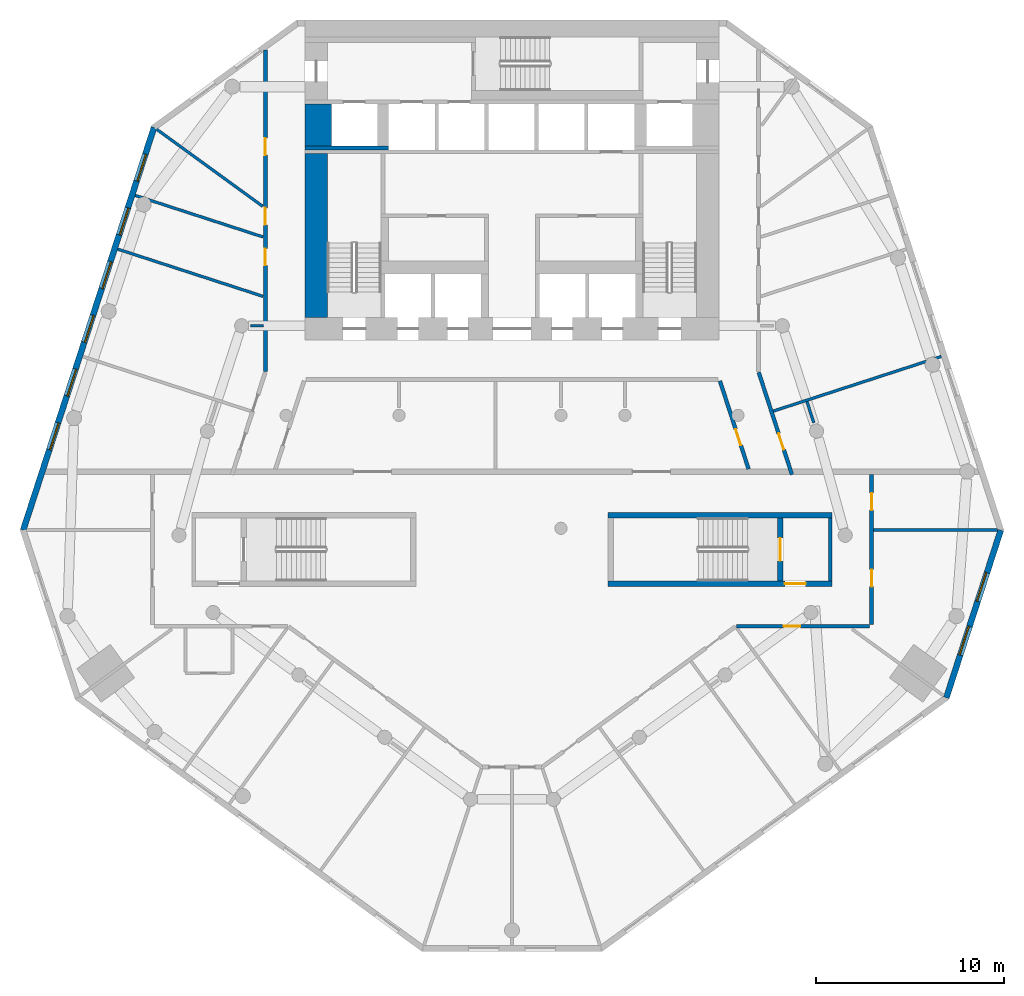
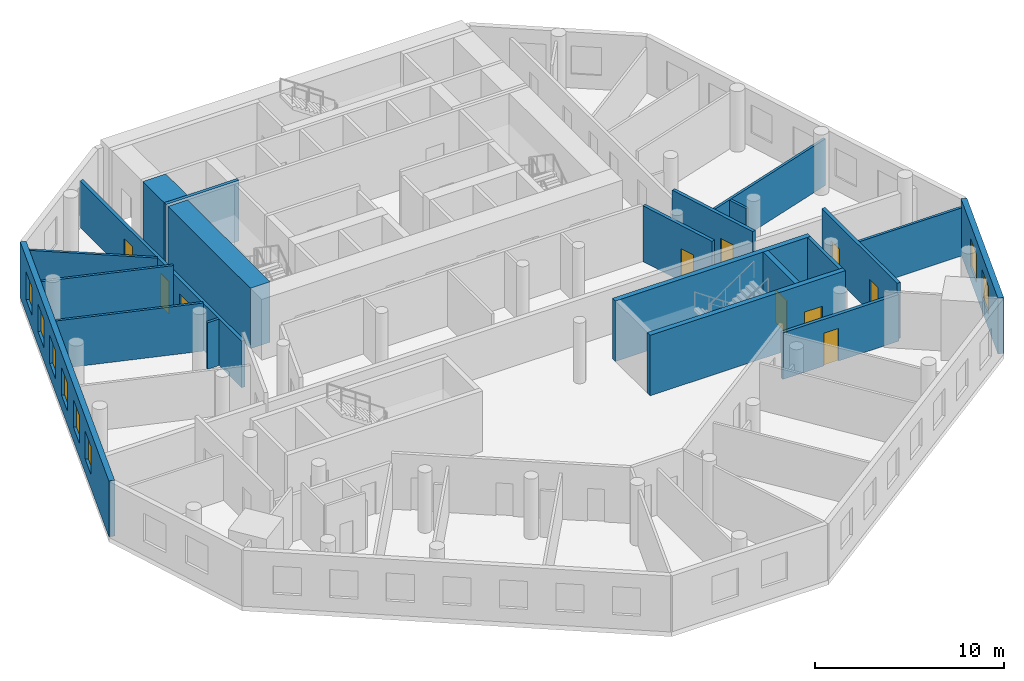
# One storey, part 4 of 9: 21 walls, 10 doors, 8 windows, 18 openings.
"""IFC4 building model written with IfcOpenShell, lengths in metres."""

from ifc_helpers import new_model, si_unit, direction, frame, frame_2d, origin, place, context, subcontext, project, spatial, rectangle, extrude, material, layer, layer_set, type_object, element, fill, save


model = new_model("IFC4")

# Units and contexts
model_context = context("Model", 3, precision=1e-05, world=origin(), true_north=direction((0.0, 1.0)))
body_context = subcontext(model_context, "Body", "Model", "MODEL_VIEW")
ifc_project = project(units=[si_unit("LENGTHUNIT", "METRE"), si_unit("AREAUNIT", "SQUARE_METRE"), si_unit("VOLUMEUNIT", "CUBIC_METRE"), si_unit("PLANEANGLEUNIT", "RADIAN"), si_unit("MASSUNIT", "GRAM", prefix="KILO")], contexts=[model_context])

# Site, building, storey
site_placement = place(None, origin())
site = spatial("IfcSite", under=ifc_project, at=site_placement, CompositionType="ELEMENT")
building_placement = place(site_placement, origin())
building = spatial("IfcBuilding", under=site, at=building_placement, Name="White Candle Pilgrim Tower", CompositionType="ELEMENT")
storey_placement = place(building_placement, frame((0.0, 0.0, 74.10009765625)))
storey = spatial("IfcBuildingStorey", under=building, at=storey_placement, Name="L15", CompositionType="ELEMENT", Elevation=74.10009765625)

# Walls
ifc_material_1 = material(Name="Concrete C70/85", Category="concrete")
ifc_layer_1 = layer(ifc_material_1, 1.39990234375)
ifc_layer_set_1 = layer_set([ifc_layer_1], Name="Core wall 1400 mm Concrete C70/85")
wall_type_1 = type_object("IfcWallType", Name="Core wall 1400 mm Concrete C70/85", PredefinedType="SHEAR", material=ifc_layer_set_1)
wall_1_placement = place(storey_placement, frame((59.699951171875, 81.300048828125, 0.0), z_axis=(0.0, 0.0, 1.0), x_axis=(0.0, 1.0, 0.0)))
element("IfcWall", 1, at=wall_1_placement, inside=storey, type_object=wall_type_1, Name="WL-L15-C37", PredefinedType="SHEAR", context=body_context, shape_type="SweptSolid", body=[
    extrude(rectangle(XDim=2.25, YDim=1.39990234375, at=frame_2d((1.125, 0.0))), origin(), (0.0, 0.0, 1.0), 3.89990234375),
])
ifc_layer_2 = layer(ifc_material_1, 0.199951171875)
ifc_layer_set_2 = layer_set([ifc_layer_2], Name="Core wall 200 mm Concrete C70/85")
wall_type_2 = type_object("IfcWallType", Name="Core wall 200 mm Concrete C70/85", PredefinedType="SHEAR", material=ifc_layer_set_2)
wall_2_placement = place(storey_placement, frame((86.89990234375, 58.199951171875, 0.0), z_axis=(0.0, 0.0, 1.0), x_axis=(0.0, 1.0, 0.0)))
element("IfcWall", 2, at=wall_2_placement, inside=storey, type_object=wall_type_2, Name="WL-L15-C08", PredefinedType="SHEAR", context=body_context, shape_type="SweptSolid", body=[
    extrude(rectangle(XDim=3.35009765625, YDim=0.199951171875, at=frame_2d((1.675048828125, 0.0))), origin(), (0.0, 0.0, 1.0), 3.89990234375),
])
wall_3_placement = place(storey_placement, frame((59.0, 81.199951171875, 0.0), z_axis=(0.0, 0.0, 1.0), x_axis=(1.0, 0.0, 0.0)))
element("IfcWall", 3, at=wall_3_placement, inside=storey, type_object=wall_type_2, Name="WL-L15-C31", PredefinedType="SHEAR", context=body_context, shape_type="SweptSolid", body=[
    extrude(rectangle(XDim=4.449951171875, YDim=0.199951171875, at=frame_2d((2.22509765625, 0.0))), origin(), (0.0, 0.0, 1.0), 3.89990234375),
])

# Wall, openings, doors
ifc_material_2 = material(Name="Gypsum board on steel studs", Category="steel")
ifc_layer_3 = layer(ifc_material_2, 0.199951171875)
ifc_layer_set_3 = layer_set([ifc_layer_3], Name="Corridor wall 200 mm EI 45")
wall_type_3 = type_object("IfcWallType", Name="Corridor wall 200 mm EI 45", PredefinedType="PARTITIONING", material=ifc_layer_set_3)
wall_4_placement = place(storey_placement, frame((56.89990234375, 69.319091796875, 0.0), z_axis=(0.0, 0.0, 1.0), x_axis=(0.0, 1.0, 0.0)))
wall_4 = element("IfcWall", 4, at=wall_4_placement, inside=storey, type_object=wall_type_3, Name="WL-L15-P003", PredefinedType="PARTITIONING", context=body_context, shape_type="SweptSolid", body=[
    extrude(rectangle(XDim=17.0771484375, YDim=0.199951171875, at=frame_2d((8.53857421875, 0.0))), origin(), (0.0, 0.0, 1.0), 3.0),
])
opening_1_placement = place(wall_4_placement, frame((5.642578125, 0.0, 0.0)))
opening_1 = element("IfcOpeningElement", 5, at=opening_1_placement, cuts=wall_4, Name="Opening T04-119", PredefinedType="OPENING", context=body_context, shape_type="SweptSolid", body=[
    extrude(rectangle(XDim=0.89990234375, YDim=2.10009765625, at=frame_2d((0.449951171875, 1.050048828125))), frame((0.0, 0.10986328125, 0.0), z_axis=(0.0, -1.0, 0.0), x_axis=(1.0, 0.0, 0.0)), (0.0, 0.0, 1.0), 0.219970703125),
])
opening_2_placement = place(wall_4_placement, frame((7.797119140625, 0.0, 0.0)))
opening_2 = element("IfcOpeningElement", 6, at=opening_2_placement, cuts=wall_4, Name="Opening T04-120", PredefinedType="OPENING", context=body_context, shape_type="SweptSolid", body=[
    extrude(rectangle(XDim=0.89990234375, YDim=2.10009765625, at=frame_2d((0.449951171875, 1.050048828125))), frame((0.0, 0.10986328125, 0.0), z_axis=(0.0, -1.0, 0.0), x_axis=(1.0, 0.0, 0.0)), (0.0, 0.0, 1.0), 0.219970703125),
])
opening_3_placement = place(wall_4_placement, frame((11.50390625, 0.0, 0.0)))
opening_3 = element("IfcOpeningElement", 7, at=opening_3_placement, cuts=wall_4, Name="Opening T04-121", PredefinedType="OPENING", context=body_context, shape_type="SweptSolid", body=[
    extrude(rectangle(XDim=0.89990234375, YDim=2.10009765625, at=frame_2d((0.449951171875, 1.050048828125))), frame((0.0, 0.10986328125, 0.0), z_axis=(0.0, -1.0, 0.0), x_axis=(1.0, 0.0, 0.0)), (0.0, 0.0, 1.0), 0.219970703125),
])
ifc_material_3 = material(Name="Steel door leaf", Category="steel")
door_type_1 = type_object("IfcDoorType", Name="Fire door 900 x 2100 EI 30", OperationType="NOTDEFINED", PredefinedType="DOOR", material=ifc_material_3)
door_1_placement = place(opening_1_placement, origin())
door_1 = element("IfcDoor", 8, at=door_1_placement, inside=storey, type_object=door_type_1, Name="Door T04-119", OperationType="SINGLE_SWING_LEFT", OverallHeight=2.10009765625, OverallWidth=0.89990234375, PredefinedType="DOOR", context=body_context, shape_type="SweptSolid", body=[
    extrude(rectangle(XDim=0.89990234375, YDim=2.10009765625, at=frame_2d((0.449951171875, 1.050048828125))), frame((0.0, 0.02490234375, 0.0), z_axis=(0.0, -1.0, 0.0), x_axis=(1.0, 0.0, 0.0)), (0.0, 0.0, 1.0), 0.050048828125),
])
fill(opening_1, door_1)
door_2_placement = place(opening_2_placement, origin())
door_2 = element("IfcDoor", 9, at=door_2_placement, inside=storey, type_object=door_type_1, Name="Door T04-120", OperationType="SINGLE_SWING_RIGHT", OverallHeight=2.10009765625, OverallWidth=0.89990234375, PredefinedType="DOOR", context=body_context, shape_type="SweptSolid", body=[
    extrude(rectangle(XDim=0.89990234375, YDim=2.10009765625, at=frame_2d((0.449951171875, 1.050048828125))), frame((0.0, 0.02490234375, 0.0), z_axis=(0.0, -1.0, 0.0), x_axis=(1.0, 0.0, 0.0)), (0.0, 0.0, 1.0), 0.050048828125),
])
fill(opening_2, door_2)
door_3_placement = place(opening_3_placement, origin())
door_3 = element("IfcDoor", 10, at=door_3_placement, inside=storey, type_object=door_type_1, Name="Door T04-121", OperationType="SINGLE_SWING_LEFT", OverallHeight=2.10009765625, OverallWidth=0.89990234375, PredefinedType="DOOR", context=body_context, shape_type="SweptSolid", body=[
    extrude(rectangle(XDim=0.89990234375, YDim=2.10009765625, at=frame_2d((0.449951171875, 1.050048828125))), frame((0.0, 0.02490234375, 0.0), z_axis=(0.0, -1.0, 0.0), x_axis=(1.0, 0.0, 0.0)), (0.0, 0.0, 1.0), 0.050048828125),
])
fill(opening_3, door_3)

# Wall, opening, door
wall_5_placement = place(storey_placement, frame((83.10498046875, 69.2880859375, 0.0), z_axis=(0.0, 0.0, 1.0), x_axis=(0.309006902183, -0.951059795388, 0.0)))
wall_5 = element("IfcWall", 11, at=wall_5_placement, inside=storey, type_object=wall_type_3, Name="WL-L15-P005", PredefinedType="PARTITIONING", context=body_context, shape_type="SweptSolid", body=[
    extrude(rectangle(XDim=5.7177734375, YDim=0.199951171875, at=frame_2d((2.85888671875, 0.0))), origin(), (0.0, 0.0, 1.0), 3.599853515625),
])
opening_4_placement = place(wall_5_placement, frame((3.419677734375, 0.0, 0.0)))
opening_4 = element("IfcOpeningElement", 12, at=opening_4_placement, cuts=wall_5, Name="Opening T04-127", PredefinedType="OPENING", context=body_context, shape_type="SweptSolid", body=[
    extrude(rectangle(XDim=0.89990234375, YDim=2.10009765625, at=frame_2d((0.449951171875, 1.050048828125))), frame((0.0, 0.10986328125, 0.0), z_axis=(0.0, -1.0, 0.0), x_axis=(1.0, 0.0, 0.0)), (0.0, 0.0, 1.0), 0.219970703125),
])
door_4_placement = place(opening_4_placement, origin())
door_4 = element("IfcDoor", 13, at=door_4_placement, inside=storey, type_object=door_type_1, Name="Door T04-127", OperationType="SINGLE_SWING_LEFT", OverallHeight=2.10009765625, OverallWidth=0.89990234375, PredefinedType="DOOR", context=body_context, shape_type="SweptSolid", body=[
    extrude(rectangle(XDim=0.89990234375, YDim=2.10009765625, at=frame_2d((0.449951171875, 1.050048828125))), frame((0.0, 0.02490234375, 0.0), z_axis=(0.0, -1.0, 0.0), x_axis=(1.0, 0.0, 0.0)), (0.0, 0.0, 1.0), 0.050048828125),
])
fill(opening_4, door_4)

# Wall, openings, doors
wall_6_placement = place(storey_placement, frame((89.10009765625, 63.85009765625, 0.0), z_axis=(0.0, 0.0, 1.0), x_axis=(0.0, -1.0, 0.0)))
wall_6 = element("IfcWall", 14, at=wall_6_placement, inside=storey, type_object=wall_type_3, Name="WL-L15-P006", PredefinedType="PARTITIONING", context=body_context, shape_type="SweptSolid", body=[
    extrude(rectangle(XDim=7.9501953125, YDim=0.199951171875, at=frame_2d((3.97509765625, 0.0))), origin(), (0.0, 0.0, 1.0), 3.599853515625),
])
opening_5_placement = place(wall_6_placement, frame((5.048095703125, 0.0, 0.0)))
opening_5 = element("IfcOpeningElement", 15, at=opening_5_placement, cuts=wall_6, Name="Opening T04-113", PredefinedType="OPENING", context=body_context, shape_type="SweptSolid", body=[
    extrude(rectangle(XDim=0.89990234375, YDim=2.10009765625, at=frame_2d((0.449951171875, 1.050048828125))), frame((0.0, 0.10986328125, 0.0), z_axis=(0.0, -1.0, 0.0), x_axis=(1.0, 0.0, 0.0)), (0.0, 0.0, 1.0), 0.219970703125),
])
opening_6_placement = place(wall_6_placement, frame((0.985595703125, 0.0, 0.0)))
opening_6 = element("IfcOpeningElement", 16, at=opening_6_placement, cuts=wall_6, Name="Opening T04-128", PredefinedType="OPENING", context=body_context, shape_type="SweptSolid", body=[
    extrude(rectangle(XDim=0.89990234375, YDim=2.10009765625, at=frame_2d((0.449951171875, 1.050048828125))), frame((0.0, 0.10986328125, 0.0), z_axis=(0.0, -1.0, 0.0), x_axis=(1.0, 0.0, 0.0)), (0.0, 0.0, 1.0), 0.219970703125),
])
door_5_placement = place(opening_5_placement, origin())
door_5 = element("IfcDoor", 17, at=door_5_placement, inside=storey, type_object=door_type_1, Name="Door T04-113", OperationType="SINGLE_SWING_LEFT", OverallHeight=2.10009765625, OverallWidth=0.89990234375, PredefinedType="DOOR", context=body_context, shape_type="SweptSolid", body=[
    extrude(rectangle(XDim=0.89990234375, YDim=2.10009765625, at=frame_2d((0.449951171875, 1.050048828125))), frame((0.0, 0.02490234375, 0.0), z_axis=(0.0, -1.0, 0.0), x_axis=(1.0, 0.0, 0.0)), (0.0, 0.0, 1.0), 0.050048828125),
])
fill(opening_5, door_5)
door_6_placement = place(opening_6_placement, origin())
door_6 = element("IfcDoor", 18, at=door_6_placement, inside=storey, type_object=door_type_1, Name="Door T04-128", OperationType="SINGLE_SWING_RIGHT", OverallHeight=2.10009765625, OverallWidth=0.89990234375, PredefinedType="DOOR", context=body_context, shape_type="SweptSolid", body=[
    extrude(rectangle(XDim=0.89990234375, YDim=2.10009765625, at=frame_2d((0.449951171875, 1.050048828125))), frame((0.0, 0.02490234375, 0.0), z_axis=(0.0, -1.0, 0.0), x_axis=(1.0, 0.0, 0.0)), (0.0, 0.0, 1.0), 0.050048828125),
])
fill(opening_6, door_6)

# Wall, opening, door
wall_7_placement = place(storey_placement, frame((89.0, 55.800048828125, 0.0), z_axis=(0.0, 0.0, 1.0), x_axis=(-1.0, 0.0, 0.0)))
wall_7 = element("IfcWall", 19, at=wall_7_placement, inside=storey, type_object=wall_type_3, Name="WL-L15-P007", PredefinedType="PARTITIONING", context=body_context, shape_type="SweptSolid", body=[
    extrude(rectangle(XDim=7.07080078125, YDim=0.199951171875, at=frame_2d((3.535400390625, 0.0))), origin(), (0.0, 0.0, 1.0), 3.0),
])
opening_7_placement = place(wall_7_placement, frame((3.67626953125, 0.0, 0.0)))
opening_7 = element("IfcOpeningElement", 20, at=opening_7_placement, cuts=wall_7, Name="Opening T04-112", PredefinedType="OPENING", context=body_context, shape_type="SweptSolid", body=[
    extrude(rectangle(XDim=0.89990234375, YDim=2.10009765625, at=frame_2d((0.449951171875, 1.050048828125))), frame((0.0, 0.10986328125, 0.0), z_axis=(0.0, -1.0, 0.0), x_axis=(1.0, 0.0, 0.0)), (0.0, 0.0, 1.0), 0.219970703125),
])
door_7_placement = place(opening_7_placement, origin())
door_7 = element("IfcDoor", 21, at=door_7_placement, inside=storey, type_object=door_type_1, Name="Door T04-112", OperationType="SINGLE_SWING_RIGHT", OverallHeight=2.10009765625, OverallWidth=0.89990234375, PredefinedType="DOOR", context=body_context, shape_type="SweptSolid", body=[
    extrude(rectangle(XDim=0.89990234375, YDim=2.10009765625, at=frame_2d((0.449951171875, 1.050048828125))), frame((0.0, 0.02490234375, 0.0), z_axis=(0.0, -1.0, 0.0), x_axis=(1.0, 0.0, 0.0)), (0.0, 0.0, 1.0), 0.050048828125),
])
fill(opening_7, door_7)

wall_8_placement = place(storey_placement, frame((82.56640625, 64.14990234375, 0.0), z_axis=(0.0, 0.0, 1.0), x_axis=(-0.309031112369, 0.951051928965, 0.0)))
wall_8 = element("IfcWall", 22, at=wall_8_placement, inside=storey, type_object=wall_type_3, Name="WL-L15-P015", PredefinedType="PARTITIONING", context=body_context, shape_type="SweptSolid", body=[
    extrude(rectangle(XDim=4.921875, YDim=0.199951171875, at=frame_2d((2.4609375, 0.0))), origin(), (0.0, 0.0, 1.0), 3.599853515625),
])
opening_8_placement = place(wall_8_placement, frame((1.32177734375, 0.0, 0.0)))
opening_8 = element("IfcOpeningElement", 23, at=opening_8_placement, cuts=wall_8, Name="Opening T04-129", PredefinedType="OPENING", context=body_context, shape_type="SweptSolid", body=[
    extrude(rectangle(XDim=0.89990234375, YDim=2.10009765625, at=frame_2d((0.449951171875, 1.050048828125))), frame((0.0, 0.10986328125, 0.0), z_axis=(0.0, -1.0, 0.0), x_axis=(1.0, 0.0, 0.0)), (0.0, 0.0, 1.0), 0.219970703125),
])
door_8_placement = place(opening_8_placement, origin())
door_8 = element("IfcDoor", 24, at=door_8_placement, inside=storey, type_object=door_type_1, Name="Door T04-129", OperationType="SINGLE_SWING_LEFT", OverallHeight=2.10009765625, OverallWidth=0.89990234375, PredefinedType="DOOR", context=body_context, shape_type="SweptSolid", body=[
    extrude(rectangle(XDim=0.89990234375, YDim=2.10009765625, at=frame_2d((0.449951171875, 1.050048828125))), frame((0.0, 0.02490234375, 0.0), z_axis=(0.0, -1.0, 0.0), x_axis=(1.0, 0.0, 0.0)), (0.0, 0.0, 1.0), 0.050048828125),
])
fill(opening_8, door_8)

# Wall, openings, windows
ifc_material_4 = material(Name="Precast concrete C40/50", Category="concrete")
ifc_layer_4 = layer(ifc_material_4, 0.320068359375)
ifc_layer_set_4 = layer_set([ifc_layer_4], Name="Facade wall EW1 precast concrete C40/50 pier wall with timber-lined reveals")
wall_type_4 = type_object("IfcWallType", Name="Facade wall EW1 precast concrete C40/50 pier wall with timber-lined reveals", PredefinedType="SOLIDWALL", material=ifc_layer_set_4)
wall_9_placement = place(storey_placement, frame((93.073974609375, 52.005126953125, 0.0), z_axis=(0.0, 0.0, 1.0), x_axis=(0.309024710052, 0.951054009285, 0.0)))
wall_9 = element("IfcWall", 25, at=wall_9_placement, inside=storey, type_object=wall_type_4, Name="Facade wall L15 E chamfer", PredefinedType="SOLIDWALL", context=body_context, shape_type="SweptSolid", body=[
    extrude(rectangle(XDim=9.3564453125, YDim=0.320068359375, at=frame_2d((4.67822265625, 0.0))), origin(), (0.0, 0.0, 1.0), 3.599853515625),
])
opening_9_placement = place(wall_9_placement, frame((2.37841796875, 0.0, 0.89990234375)))
opening_9 = element("IfcOpeningElement", 26, at=opening_9_placement, cuts=wall_9, Name="Opening W2", PredefinedType="OPENING", context=body_context, shape_type="SweptSolid", body=[
    extrude(rectangle(XDim=1.60009765625, YDim=1.800048828125, at=frame_2d((0.800048828125, 0.89990234375))), frame((0.0, 0.169921875, 0.0), z_axis=(0.0, -1.0, 0.0), x_axis=(1.0, 0.0, 0.0)), (0.0, 0.0, 1.0), 0.340087890625),
])
opening_10_placement = place(wall_9_placement, frame((5.37841796875, 0.0, 0.89990234375)))
opening_10 = element("IfcOpeningElement", 27, at=opening_10_placement, cuts=wall_9, Name="Opening W2", PredefinedType="OPENING", context=body_context, shape_type="SweptSolid", body=[
    extrude(rectangle(XDim=1.60009765625, YDim=1.800048828125, at=frame_2d((0.800048828125, 0.89990234375))), frame((0.0, 0.169921875, 0.0), z_axis=(0.0, -1.0, 0.0), x_axis=(1.0, 0.0, 0.0)), (0.0, 0.0, 1.0), 0.340087890625),
])
ifc_material_5 = material(Name="Timber frame with triple glazing", Category="wood")
window_type_1 = type_object("IfcWindowType", Name="Window W2 1600x1800 timber frame triple glazing", PartitioningType="SINGLE_PANEL", PredefinedType="WINDOW", material=ifc_material_5)
window_1_placement = place(opening_9_placement, origin())
window_1 = element("IfcWindow", 28, at=window_1_placement, inside=storey, type_object=window_type_1, Name="Window W2 L15 E chamfer 1", OverallHeight=1.800048828125, OverallWidth=1.60009765625, PartitioningType="SINGLE_PANEL", PredefinedType="WINDOW", context=body_context, shape_type="SweptSolid", body=[
    extrude(rectangle(XDim=1.60009765625, YDim=1.800048828125, at=frame_2d((0.800048828125, 0.89990234375))), frame((0.0, 0.070068359375, 0.0), z_axis=(0.0, -1.0, 0.0), x_axis=(1.0, 0.0, 0.0)), (0.0, 0.0, 1.0), 0.06005859375),
])
fill(opening_9, window_1)
window_2_placement = place(opening_10_placement, origin())
window_2 = element("IfcWindow", 29, at=window_2_placement, inside=storey, type_object=window_type_1, Name="Window W2 L15 E chamfer 2", OverallHeight=1.800048828125, OverallWidth=1.60009765625, PartitioningType="SINGLE_PANEL", PredefinedType="WINDOW", context=body_context, shape_type="SweptSolid", body=[
    extrude(rectangle(XDim=1.60009765625, YDim=1.800048828125, at=frame_2d((0.800048828125, 0.89990234375))), frame((0.0, 0.070068359375, 0.0), z_axis=(0.0, -1.0, 0.0), x_axis=(1.0, 0.0, 0.0)), (0.0, 0.0, 1.0), 0.06005859375),
])
fill(opening_10, window_2)

wall_10_placement = place(storey_placement, frame((50.98583984375, 82.297119140625, 0.0), z_axis=(0.0, 0.0, 1.0), x_axis=(-0.309016374519, -0.951056717698, 0.0)))
wall_10 = element("IfcWall", 30, at=wall_10_placement, inside=storey, type_object=wall_type_4, Name="Facade wall L15 WNW", PredefinedType="SOLIDWALL", context=body_context, shape_type="SweptSolid", body=[
    extrude(rectangle(XDim=22.49462890625, YDim=0.320068359375, at=frame_2d((11.247314453125, 0.0))), origin(), (0.0, 0.0, 1.0), 3.599853515625),
])
opening_11_placement = place(wall_10_placement, frame((1.497314453125, 0.0, 0.89990234375)))
opening_11 = element("IfcOpeningElement", 31, at=opening_11_placement, cuts=wall_10, Name="Opening W1", PredefinedType="OPENING", context=body_context, shape_type="SweptSolid", body=[
    extrude(rectangle(XDim=1.5, YDim=1.800048828125, at=frame_2d((0.75, 0.89990234375))), frame((0.0, 0.169921875, 0.0), z_axis=(0.0, -1.0, 0.0), x_axis=(1.0, 0.0, 0.0)), (0.0, 0.0, 1.0), 0.340087890625),
])
opening_12_placement = place(wall_10_placement, frame((4.497314453125, 0.0, 0.89990234375)))
opening_12 = element("IfcOpeningElement", 32, at=opening_12_placement, cuts=wall_10, Name="Opening W1", PredefinedType="OPENING", context=body_context, shape_type="SweptSolid", body=[
    extrude(rectangle(XDim=1.5, YDim=1.800048828125, at=frame_2d((0.75, 0.89990234375))), frame((0.0, 0.169921875, 0.0), z_axis=(0.0, -1.0, 0.0), x_axis=(1.0, 0.0, 0.0)), (0.0, 0.0, 1.0), 0.340087890625),
])
opening_13_placement = place(wall_10_placement, frame((7.497314453125, 0.0, 0.89990234375)))
opening_13 = element("IfcOpeningElement", 33, at=opening_13_placement, cuts=wall_10, Name="Opening W1", PredefinedType="OPENING", context=body_context, shape_type="SweptSolid", body=[
    extrude(rectangle(XDim=1.5, YDim=1.800048828125, at=frame_2d((0.75, 0.89990234375))), frame((0.0, 0.169921875, 0.0), z_axis=(0.0, -1.0, 0.0), x_axis=(1.0, 0.0, 0.0)), (0.0, 0.0, 1.0), 0.340087890625),
])
opening_14_placement = place(wall_10_placement, frame((10.497314453125, 0.0, 0.89990234375)))
opening_14 = element("IfcOpeningElement", 34, at=opening_14_placement, cuts=wall_10, Name="Opening W1", PredefinedType="OPENING", context=body_context, shape_type="SweptSolid", body=[
    extrude(rectangle(XDim=1.5, YDim=1.800048828125, at=frame_2d((0.75, 0.89990234375))), frame((0.0, 0.169921875, 0.0), z_axis=(0.0, -1.0, 0.0), x_axis=(1.0, 0.0, 0.0)), (0.0, 0.0, 1.0), 0.340087890625),
])
opening_15_placement = place(wall_10_placement, frame((13.497314453125, 0.0, 0.89990234375)))
opening_15 = element("IfcOpeningElement", 35, at=opening_15_placement, cuts=wall_10, Name="Opening W1", PredefinedType="OPENING", context=body_context, shape_type="SweptSolid", body=[
    extrude(rectangle(XDim=1.5, YDim=1.800048828125, at=frame_2d((0.75, 0.89990234375))), frame((0.0, 0.169921875, 0.0), z_axis=(0.0, -1.0, 0.0), x_axis=(1.0, 0.0, 0.0)), (0.0, 0.0, 1.0), 0.340087890625),
])
opening_16_placement = place(wall_10_placement, frame((16.497314453125, 0.0, 0.89990234375)))
opening_16 = element("IfcOpeningElement", 36, at=opening_16_placement, cuts=wall_10, Name="Opening W1", PredefinedType="OPENING", context=body_context, shape_type="SweptSolid", body=[
    extrude(rectangle(XDim=1.5, YDim=1.800048828125, at=frame_2d((0.75, 0.89990234375))), frame((0.0, 0.169921875, 0.0), z_axis=(0.0, -1.0, 0.0), x_axis=(1.0, 0.0, 0.0)), (0.0, 0.0, 1.0), 0.340087890625),
])
window_type_2 = type_object("IfcWindowType", Name="Window W1 1500x1800 timber frame triple glazing", PartitioningType="SINGLE_PANEL", PredefinedType="WINDOW", material=ifc_material_5)
window_3_placement = place(opening_11_placement, origin())
window_3 = element("IfcWindow", 37, at=window_3_placement, inside=storey, type_object=window_type_2, Name="Window W1 L15 WNW 1", OverallHeight=1.800048828125, OverallWidth=1.5, PartitioningType="SINGLE_PANEL", PredefinedType="WINDOW", context=body_context, shape_type="SweptSolid", body=[
    extrude(rectangle(XDim=1.5, YDim=1.800048828125, at=frame_2d((0.75, 0.89990234375))), frame((0.0, 0.070068359375, 0.0), z_axis=(0.0, -1.0, 0.0), x_axis=(1.0, 0.0, 0.0)), (0.0, 0.0, 1.0), 0.06005859375),
])
fill(opening_11, window_3)
window_4_placement = place(opening_12_placement, origin())
window_4 = element("IfcWindow", 38, at=window_4_placement, inside=storey, type_object=window_type_2, Name="Window W1 L15 WNW 2", OverallHeight=1.800048828125, OverallWidth=1.5, PartitioningType="SINGLE_PANEL", PredefinedType="WINDOW", context=body_context, shape_type="SweptSolid", body=[
    extrude(rectangle(XDim=1.5, YDim=1.800048828125, at=frame_2d((0.75, 0.89990234375))), frame((0.0, 0.070068359375, 0.0), z_axis=(0.0, -1.0, 0.0), x_axis=(1.0, 0.0, 0.0)), (0.0, 0.0, 1.0), 0.06005859375),
])
fill(opening_12, window_4)
window_5_placement = place(opening_13_placement, origin())
window_5 = element("IfcWindow", 39, at=window_5_placement, inside=storey, type_object=window_type_2, Name="Window W1 L15 WNW 3", OverallHeight=1.800048828125, OverallWidth=1.5, PartitioningType="SINGLE_PANEL", PredefinedType="WINDOW", context=body_context, shape_type="SweptSolid", body=[
    extrude(rectangle(XDim=1.5, YDim=1.800048828125, at=frame_2d((0.75, 0.89990234375))), frame((0.0, 0.070068359375, 0.0), z_axis=(0.0, -1.0, 0.0), x_axis=(1.0, 0.0, 0.0)), (0.0, 0.0, 1.0), 0.06005859375),
])
fill(opening_13, window_5)
window_6_placement = place(opening_14_placement, origin())
window_6 = element("IfcWindow", 40, at=window_6_placement, inside=storey, type_object=window_type_2, Name="Window W1 L15 WNW 4", OverallHeight=1.800048828125, OverallWidth=1.5, PartitioningType="SINGLE_PANEL", PredefinedType="WINDOW", context=body_context, shape_type="SweptSolid", body=[
    extrude(rectangle(XDim=1.5, YDim=1.800048828125, at=frame_2d((0.75, 0.89990234375))), frame((0.0, 0.070068359375, 0.0), z_axis=(0.0, -1.0, 0.0), x_axis=(1.0, 0.0, 0.0)), (0.0, 0.0, 1.0), 0.06005859375),
])
fill(opening_14, window_6)
window_7_placement = place(opening_15_placement, origin())
window_7 = element("IfcWindow", 41, at=window_7_placement, inside=storey, type_object=window_type_2, Name="Window W1 L15 WNW 5", OverallHeight=1.800048828125, OverallWidth=1.5, PartitioningType="SINGLE_PANEL", PredefinedType="WINDOW", context=body_context, shape_type="SweptSolid", body=[
    extrude(rectangle(XDim=1.5, YDim=1.800048828125, at=frame_2d((0.75, 0.89990234375))), frame((0.0, 0.070068359375, 0.0), z_axis=(0.0, -1.0, 0.0), x_axis=(1.0, 0.0, 0.0)), (0.0, 0.0, 1.0), 0.06005859375),
])
fill(opening_15, window_7)
window_8_placement = place(opening_16_placement, origin())
window_8 = element("IfcWindow", 42, at=window_8_placement, inside=storey, type_object=window_type_2, Name="Window W1 L15 WNW 6", OverallHeight=1.800048828125, OverallWidth=1.5, PartitioningType="SINGLE_PANEL", PredefinedType="WINDOW", context=body_context, shape_type="SweptSolid", body=[
    extrude(rectangle(XDim=1.5, YDim=1.800048828125, at=frame_2d((0.75, 0.89990234375))), frame((0.0, 0.070068359375, 0.0), z_axis=(0.0, -1.0, 0.0), x_axis=(1.0, 0.0, 0.0)), (0.0, 0.0, 1.0), 0.06005859375),
])
fill(opening_16, window_8)

# Walls
ifc_layer_5 = layer(ifc_material_2, 0.14990234375)
ifc_layer_set_5 = layer_set([ifc_layer_5], Name="Partition 150 mm EI 60")
wall_type_5 = type_object("IfcWallType", Name="Partition 150 mm EI 60", PredefinedType="PARTITIONING", material=ifc_layer_set_5)
wall_11_placement = place(storey_placement, frame((51.1220703125, 82.1982421875, 0.0), z_axis=(0.0, 0.0, 1.0), x_axis=(0.809011915856, -0.58779224221, 0.0)))
element("IfcWall", 43, at=wall_11_placement, inside=storey, type_object=wall_type_5, Name="WL-L15-P016", PredefinedType="PARTITIONING", context=body_context, shape_type="SweptSolid", body=[
    extrude(rectangle(XDim=6.9638671875, YDim=0.14990234375, at=frame_2d((3.48193359375, 0.0))), origin(), (0.0, 0.0, 1.0), 3.099853515625),
])
wall_12_placement = place(storey_placement, frame((95.797119140625, 60.903564453125, 0.0), z_axis=(0.0, 0.0, 1.0), x_axis=(-1.0, 0.0, 0.0)))
element("IfcWall", 44, at=wall_12_placement, inside=storey, type_object=wall_type_5, Name="WL-L15-P022", PredefinedType="PARTITIONING", context=body_context, shape_type="SweptSolid", body=[
    extrude(rectangle(XDim=6.59716796875, YDim=0.14990234375, at=frame_2d((3.298583984375, 0.0))), origin(), (0.0, 0.0, 1.0), 3.099853515625),
])
wall_13_placement = place(storey_placement, frame((49.97998046875, 78.683837890625, 0.0), z_axis=(0.0, 0.0, 1.0), x_axis=(0.951064189929, -0.308993376362, 0.0)))
element("IfcWall", 45, at=wall_13_placement, inside=storey, type_object=wall_type_5, Name="WL-L15-P024", PredefinedType="PARTITIONING", context=body_context, shape_type="SweptSolid", body=[
    extrude(rectangle(XDim=7.146484375, YDim=0.14990234375, at=frame_2d((3.5732421875, 0.0))), origin(), (0.0, 0.0, 1.0), 3.599853515625),
])
wall_14_placement = place(storey_placement, frame((49.052978515625, 75.830810546875, 0.0), z_axis=(0.0, 0.0, 1.0), x_axis=(0.951051961222, -0.309031013097, 0.0)))
element("IfcWall", 46, at=wall_14_placement, inside=storey, type_object=wall_type_5, Name="WL-L15-P025", PredefinedType="PARTITIONING", context=body_context, shape_type="SweptSolid", body=[
    extrude(rectangle(XDim=8.121337890625, YDim=0.14990234375, at=frame_2d((4.060546875, 0.0))), origin(), (0.0, 0.0, 1.0), 3.099853515625),
])
wall_15_placement = place(storey_placement, frame((92.801025390625, 70.124267578125, 0.0), z_axis=(0.0, 0.0, 1.0), x_axis=(-0.951060843481, -0.309003676349, 0.0)))
element("IfcWall", 47, at=wall_15_placement, inside=storey, type_object=wall_type_5, Name="WL-L15-P037", PredefinedType="PARTITIONING", context=body_context, shape_type="SweptSolid", body=[
    extrude(rectangle(XDim=9.3798828125, YDim=0.14990234375, at=frame_2d((4.68994140625, 0.0))), origin(), (0.0, 0.0, 1.0), 3.0),
])
wall_16_placement = place(storey_placement, frame((86.032958984375, 66.60107421875, 0.0), z_axis=(0.0, 0.0, 1.0), x_axis=(-0.308983531668, 0.951067388337, 0.0)))
element("IfcWall", 48, at=wall_16_placement, inside=storey, type_object=wall_type_5, Name="WL-L15-P047", PredefinedType="PARTITIONING", context=body_context, shape_type="SweptSolid", body=[
    extrude(rectangle(XDim=1.184326171875, YDim=0.14990234375, at=frame_2d((0.59228515625, 0.0))), origin(), (0.0, 0.0, 1.0), 3.0),
])
wall_17_placement = place(storey_placement, frame((56.10498046875, 71.76220703125, 0.0), z_axis=(0.0, 0.0, 1.0), x_axis=(1.0, 0.0, 0.0)))
element("IfcWall", 49, at=wall_17_placement, inside=storey, type_object=wall_type_5, Name="WL-L15-P049", PredefinedType="PARTITIONING", context=body_context, shape_type="SweptSolid", body=[
    extrude(rectangle(XDim=0.695068359375, YDim=0.14990234375, at=frame_2d((0.34765625, 0.0))), origin(), (0.0, 0.0, 1.0), 3.0),
])
ifc_layer_6 = layer(ifc_material_1, 1.199951171875)
ifc_layer_set_6 = layer_set([ifc_layer_6], Name="Stair shaft wall 1200 mm Concrete C70/85")
wall_type_6 = type_object("IfcWallType", Name="Stair shaft wall 1200 mm Concrete C70/85", PredefinedType="SHEAR", material=ifc_layer_set_6)
wall_18_placement = place(storey_placement, frame((59.60009765625, 72.199951171875, 0.0), z_axis=(0.0, 0.0, 1.0), x_axis=(0.0, 1.0, 0.0)))
element("IfcWall", 50, at=wall_18_placement, inside=storey, type_object=wall_type_6, Name="WL-L15-C12", PredefinedType="SHEAR", context=body_context, shape_type="SweptSolid", body=[
    extrude(rectangle(XDim=8.699951171875, YDim=1.199951171875, at=frame_2d((4.35009765625, 0.0))), origin(), (0.0, 0.0, 1.0), 3.89990234375),
])

# Wall, opening, door
ifc_layer_7 = layer(ifc_material_1, 0.300048828125)
ifc_layer_set_7 = layer_set([ifc_layer_7], Name="Stair shaft wall 300 mm Concrete C70/85")
wall_type_7 = type_object("IfcWallType", Name="Stair shaft wall 300 mm Concrete C70/85", PredefinedType="SHEAR", material=ifc_layer_set_7)
wall_19_placement = place(storey_placement, frame((75.10009765625, 58.050048828125, 0.0), z_axis=(0.0, 0.0, 1.0), x_axis=(1.0, 0.0, 0.0)))
wall_19 = element("IfcWall", 51, at=wall_19_placement, inside=storey, type_object=wall_type_7, Name="WL-L15-C02", PredefinedType="SHEAR", context=body_context, shape_type="SweptSolid", body=[
    extrude(rectangle(XDim=11.89990234375, YDim=0.300048828125, at=frame_2d((5.949951171875, 0.0))), origin(), (0.0, 0.0, 1.0), 3.89990234375),
])
opening_17_placement = place(wall_19_placement, frame((9.39990234375, 0.0, 0.0)))
opening_17 = element("IfcOpeningElement", 52, at=opening_17_placement, cuts=wall_19, Name="Opening T04-009", PredefinedType="OPENING", context=body_context, shape_type="SweptSolid", body=[
    extrude(rectangle(XDim=1.10009765625, YDim=2.10009765625, at=frame_2d((0.550048828125, 1.050048828125))), frame((0.0, 0.159912109375, 0.0), z_axis=(0.0, -1.0, 0.0), x_axis=(1.0, 0.0, 0.0)), (0.0, 0.0, 1.0), 0.320068359375),
])
door_type_2 = type_object("IfcDoorType", Name="Fire door 1100 x 2100 EI 60", OperationType="NOTDEFINED", PredefinedType="DOOR", material=ifc_material_3)
door_9_placement = place(opening_17_placement, origin())
door_9 = element("IfcDoor", 53, at=door_9_placement, inside=storey, type_object=door_type_2, Name="Door T04-009", OperationType="SINGLE_SWING_LEFT", OverallHeight=2.10009765625, OverallWidth=1.10009765625, PredefinedType="DOOR", context=body_context, shape_type="SweptSolid", body=[
    extrude(rectangle(XDim=1.10009765625, YDim=2.10009765625, at=frame_2d((0.550048828125, 1.050048828125))), frame((0.0, 0.02490234375, 0.0), z_axis=(0.0, -1.0, 0.0), x_axis=(1.0, 0.0, 0.0)), (0.0, 0.0, 1.0), 0.050048828125),
])
fill(opening_17, door_9)

wall_20_placement = place(storey_placement, frame((84.25, 58.199951171875, 0.0), z_axis=(0.0, 0.0, 1.0), x_axis=(0.0, 1.0, 0.0)))
wall_20 = element("IfcWall", 54, at=wall_20_placement, inside=storey, type_object=wall_type_7, Name="WL-L15-C07", PredefinedType="SHEAR", context=body_context, shape_type="SweptSolid", body=[
    extrude(rectangle(XDim=3.35009765625, YDim=0.300048828125, at=frame_2d((1.675048828125, 0.0))), origin(), (0.0, 0.0, 1.0), 3.89990234375),
])
opening_18_placement = place(wall_20_placement, frame((1.074951171875, 0.0, 0.0)))
opening_18 = element("IfcOpeningElement", 55, at=opening_18_placement, cuts=wall_20, Name="Opening T04-010", PredefinedType="OPENING", context=body_context, shape_type="SweptSolid", body=[
    extrude(rectangle(XDim=1.199951171875, YDim=2.10009765625, at=frame_2d((0.60009765625, 1.050048828125))), frame((0.0, 0.159912109375, 0.0), z_axis=(0.0, -1.0, 0.0), x_axis=(1.0, 0.0, 0.0)), (0.0, 0.0, 1.0), 0.320068359375),
])
door_type_3 = type_object("IfcDoorType", Name="Fire door 1200 x 2100 EI 60", OperationType="NOTDEFINED", PredefinedType="DOOR", material=ifc_material_3)
door_10_placement = place(opening_18_placement, origin())
door_10 = element("IfcDoor", 56, at=door_10_placement, inside=storey, type_object=door_type_3, Name="Door T04-010", OperationType="SINGLE_SWING_RIGHT", OverallHeight=2.10009765625, OverallWidth=1.199951171875, PredefinedType="DOOR", context=body_context, shape_type="SweptSolid", body=[
    extrude(rectangle(XDim=1.199951171875, YDim=2.10009765625, at=frame_2d((0.60009765625, 1.050048828125))), frame((0.0, 0.02490234375, 0.0), z_axis=(0.0, -1.0, 0.0), x_axis=(1.0, 0.0, 0.0)), (0.0, 0.0, 1.0), 0.050048828125),
])
fill(opening_18, door_10)

# Wall
wall_21_placement = place(storey_placement, frame((75.10009765625, 61.699951171875, 0.0), z_axis=(0.0, 0.0, 1.0), x_axis=(1.0, 0.0, 0.0)))
element("IfcWall", 57, at=wall_21_placement, inside=storey, type_object=wall_type_7, Name="WL-L15-C10", PredefinedType="SHEAR", context=body_context, shape_type="SweptSolid", body=[
    extrude(rectangle(XDim=11.89990234375, YDim=0.300048828125, at=frame_2d((5.949951171875, 0.0))), origin(), (0.0, 0.0, 1.0), 3.89990234375),
])

save(model, "model.ifc")
